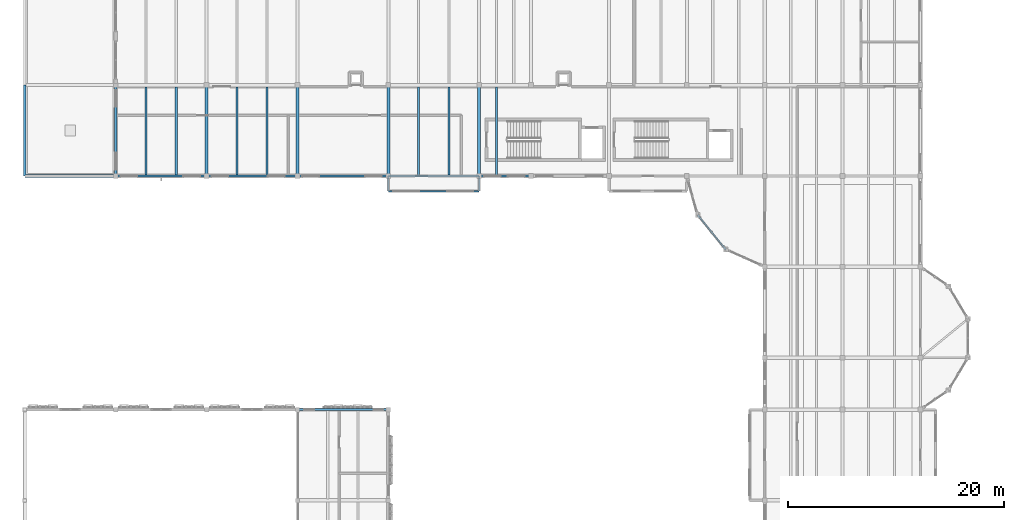
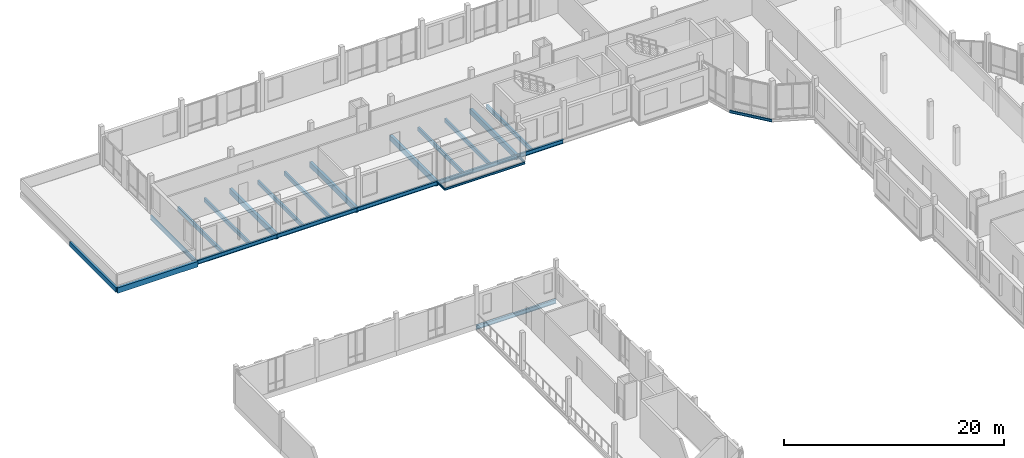
# One storey, part 21 of 81: 24 beams.
"""IFC4 building model written with IfcOpenShell, lengths in metres."""

from ifc_helpers import new_model, si_unit, direction, frame, origin, origin_2d, place, context, subcontext, project, spatial, rectangle, i_section, extrude, material, material_profile, profile_set, type_object, element, save


model = new_model("IFC4")

# Units and contexts
model_context = context("Model", 3, precision=1e-05, world=origin(), true_north=direction((0.0, 1.0)))
body_context = subcontext(model_context, "Body", "Model", "MODEL_VIEW")
ifc_project = project(units=[si_unit("LENGTHUNIT", "METRE"), si_unit("AREAUNIT", "SQUARE_METRE"), si_unit("VOLUMEUNIT", "CUBIC_METRE"), si_unit("PLANEANGLEUNIT", "RADIAN"), si_unit("MASSUNIT", "GRAM", prefix="KILO")], contexts=[model_context])

# Site, building, storey
site_placement = place(None, origin())
site = spatial("IfcSite", under=ifc_project, at=site_placement, CompositionType="ELEMENT")
building_placement = place(site_placement, origin())
building = spatial("IfcBuilding", under=site, at=building_placement, Name="Kahlenmark Community Centre", CompositionType="ELEMENT")
storey_placement = place(building_placement, frame((0.0, 0.0, 9.60009765625)))
storey = spatial("IfcBuildingStorey", under=building, at=storey_placement, Name="L02", CompositionType="ELEMENT", Elevation=9.60009765625)

# Beams
ifc_material_1 = material(Name="Glulam GL32h", Category="wood")
ifc_material_profile_1 = material_profile(ifc_material_1, rectangle(XDim=0.239990234375, YDim=0.52001953125, at=origin_2d()), Name="GL32h 240x520")
ifc_profile_set_1 = profile_set([ifc_material_profile_1], Name="Glulam GL32h")
beam_type_1 = type_object("IfcBeamType", Name="BT-BEAM-GL32h240x520", PredefinedType="BEAM", material=ifc_profile_set_1)
beam_1_placement = place(storey_placement, frame((4.0, 97.60009765625, -0.5400390625), z_axis=(0.0, 1.0, 0.0), x_axis=(-1.0, 0.0, 0.0)))
element("IfcBeam", 1, at=beam_1_placement, inside=storey, type_object=beam_type_1, Name="L02 beam BG-RF520", PredefinedType="BEAM", context=body_context, shape_type="SweptSolid", body=[
    extrude(rectangle(XDim=0.239990234375, YDim=0.52001953125, at=origin_2d()), origin(), (0.0, 0.0, 1.0), 8.39990234375),
])
ifc_material_profile_2 = material_profile(ifc_material_1, rectangle(XDim=0.280029296875, YDim=0.60009765625, at=origin_2d()), Name="GL32h 280x600")
ifc_profile_set_2 = profile_set([ifc_material_profile_2], Name="Glulam GL32h")
beam_type_2 = type_object("IfcBeamType", Name="BT-BEAM-GL32h280x600", PredefinedType="BEAM", material=ifc_profile_set_2)
for number, where, z_axis, x_axis, name in (
    (2, (20.800048828125, 97.60009765625, -0.52001953125), (0.0, 1.0, 0.0), (-1.0, 0.0, 0.0), "L02 beam BG-GL32h280x600"),
    (3, (29.199951171875, 97.60009765625, -0.52001953125), (0.0, 1.0, 0.0), (-1.0, 0.0, 0.0), "L02 beam BG-GL32h280x600"),
    (4, (37.60009765625, 97.60009765625, -0.52001953125), (0.0, 1.0, 0.0), (-1.0, 0.0, 0.0), "L02 beam BG-GL32h280x600"),
    (5, (46.0, 97.60009765625, -0.52001953125), (0.0, 1.0, 0.0), (-1.0, 0.0, 0.0), "L02 beam BG-GL32h280x600"),
    (6, (4.0, 97.60009765625, -0.580078125), (1.0, 0.0, 0.0), (0.0, 1.0, 0.0), "L02 beam BG-RF600"),
):
    element("IfcBeam", number, at=place(storey_placement, frame(where, z_axis=z_axis, x_axis=x_axis)), inside=storey, type_object=beam_type_2, Name=name, PredefinedType="BEAM", context=body_context, shape_type="SweptSolid", body=[
        extrude(rectangle(XDim=0.280029296875, YDim=0.60009765625, at=origin_2d()), origin(), (0.0, 0.0, 1.0), 8.39990234375),
    ])
ifc_material_2 = material(Name="Steel S355", Category="steel")
ifc_material_profile_3 = material_profile(ifc_material_2, i_section(OverallWidth=0.1201171875, OverallDepth=0.239990234375, WebThickness=0.006103515625, FlangeThickness=0.009765625, at=origin_2d()), Name="IPE 240")
ifc_profile_set_3 = profile_set([ifc_material_profile_3], Name="Steel S355")
beam_type_3 = type_object("IfcBeamType", Name="BT-BEAM-IPE240", PredefinedType="BEAM", material=ifc_profile_set_3)
for number, where, z_axis, x_axis, name in (
    (7, (37.60009765625, 96.199951171875, -0.320068359375), (0.0, 1.0, 0.0), (-1.0, 0.0, 0.0), "L02 beam BG-IPE240"),
    (8, (46.0, 96.199951171875, -0.320068359375), (0.0, 1.0, 0.0), (-1.0, 0.0, 0.0), "L02 beam BG-IPE240"),
):
    element("IfcBeam", number, at=place(storey_placement, frame(where, z_axis=z_axis, x_axis=x_axis)), inside=storey, type_object=beam_type_3, Name=name, PredefinedType="BEAM", context=body_context, shape_type="SweptSolid", body=[
        extrude(i_section(OverallWidth=0.1201171875, OverallDepth=0.239990234375, WebThickness=0.006103515625, FlangeThickness=0.009765625, at=origin_2d()), origin(), (0.0, 0.0, 1.0), 1.400146484375),
    ])
ifc_material_3 = material(Name="Glulam GL28h", Category="wood")
ifc_material_profile_4 = material_profile(ifc_material_3, rectangle(XDim=0.199951171875, YDim=0.43994140625, at=origin_2d()), Name="GL28h 200x440")
ifc_profile_set_4 = profile_set([ifc_material_profile_4], Name="Glulam GL28h")
beam_type_4 = type_object("IfcBeamType", Name="BT-JOIST-GL28h200x440", PredefinedType="JOIST", material=ifc_profile_set_4)
for number, where, z_axis, x_axis, name in (
    (9, (15.199951171875, 97.693115234375, -0.440185546875), (0.0, 1.0, 0.0), (-1.0, 0.0, 0.0), "L02 joist BJ-GL28h200x440"),
    (10, (18.0, 97.693115234375, -0.440185546875), (0.0, 1.0, 0.0), (-1.0, 0.0, 0.0), "L02 joist BJ-GL28h200x440"),
    (11, (23.60009765625, 97.693115234375, -0.440185546875), (0.0, 1.0, 0.0), (-1.0, 0.0, 0.0), "L02 joist BJ-GL28h200x440"),
    (12, (26.39990234375, 97.693115234375, -0.440185546875), (0.0, 1.0, 0.0), (-1.0, 0.0, 0.0), "L02 joist BJ-GL28h200x440"),
    (13, (40.39990234375, 97.693115234375, -0.440185546875), (0.0, 1.0, 0.0), (-1.0, 0.0, 0.0), "L02 joist BJ-GL28h200x440"),
    (14, (43.199951171875, 97.693115234375, -0.440185546875), (0.0, 1.0, 0.0), (-1.0, 0.0, 0.0), "L02 joist BJ-GL28h200x440"),
    (15, (47.60009765625, 97.693115234375, -0.440185546875), (0.0, 1.0, 0.0), (-1.0, 0.0, 0.0), "L02 joist BJ-GL28h200x440"),
):
    element("IfcBeam", number, at=place(storey_placement, frame(where, z_axis=z_axis, x_axis=x_axis)), inside=storey, type_object=beam_type_4, Name=name, PredefinedType="JOIST", context=body_context, shape_type="SweptSolid", body=[
        extrude(rectangle(XDim=0.199951171875, YDim=0.43994140625, at=origin_2d()), origin(), (0.0, 0.0, 1.0), 8.14892578125),
    ])
ifc_material_profile_5 = material_profile(ifc_material_2, i_section(OverallWidth=0.1201171875, OverallDepth=0.239990234375, WebThickness=0.006103515625, FlangeThickness=0.009765625, at=origin_2d()), Name="IPE 240")
ifc_profile_set_5 = profile_set([ifc_material_profile_5], Name="Steel S355")
beam_type_5 = type_object("IfcBeamType", Name="BT-SPANDREL-IPE240", PredefinedType="SPANDREL", material=ifc_profile_set_5)
beam_2_placement = place(storey_placement, frame((37.60009765625, 96.199951171875, -0.320068359375), z_axis=(1.0, 0.0, 0.0), x_axis=(0.0, 1.0, 0.0)))
element("IfcBeam", 16, at=beam_2_placement, inside=storey, type_object=beam_type_5, Name="L02 spandrel SP-IPE240", PredefinedType="SPANDREL", context=body_context, shape_type="SweptSolid", body=[
    extrude(i_section(OverallWidth=0.1201171875, OverallDepth=0.239990234375, WebThickness=0.006103515625, FlangeThickness=0.009765625, at=origin_2d()), origin(), (0.0, 0.0, 1.0), 8.39990234375),
])
ifc_material_profile_6 = material_profile(ifc_material_2, i_section(OverallWidth=0.14990234375, OverallDepth=0.300048828125, WebThickness=0.007080078125, FlangeThickness=0.0107421875, at=origin_2d()), Name="IPE 300")
ifc_profile_set_6 = profile_set([ifc_material_profile_6], Name="Steel S355")
beam_type_6 = type_object("IfcBeamType", Name="BT-SPANDREL-IPE300", PredefinedType="SPANDREL", material=ifc_profile_set_6)
beam_3_placement = place(storey_placement, frame((66.199951171875, 94.0, -0.35009765625), z_axis=(0.630612687458, -0.776097699015, 0.0), x_axis=(0.776097699015, 0.630612687458, 0.0)))
element("IfcBeam", 17, at=beam_3_placement, inside=storey, type_object=beam_type_6, Name="L02 spandrel SP-IPE300", PredefinedType="SPANDREL", context=body_context, shape_type="SweptSolid", body=[
    extrude(i_section(OverallWidth=0.14990234375, OverallDepth=0.300048828125, WebThickness=0.007080078125, FlangeThickness=0.0107421875, at=origin_2d()), origin(), (0.0, 0.0, 1.0), 4.123046875),
])
ifc_material_profile_7 = material_profile(ifc_material_2, i_section(OverallWidth=0.18994140625, OverallDepth=0.449951171875, WebThickness=0.009521484375, FlangeThickness=0.0146484375, at=origin_2d()), Name="IPE 450")
ifc_profile_set_7 = profile_set([ifc_material_profile_7], Name="Steel S355")
beam_type_7 = type_object("IfcBeamType", Name="BT-SPANDREL-IPE450", PredefinedType="SPANDREL", material=ifc_profile_set_7)
for number, where, z_axis, x_axis, name in (
    (18, (29.199951171875, 76.0, -0.445068359375), (1.0, 0.0, 0.0), (0.0, 1.0, 0.0), "L02 spandrel SP-IPE450"),
    (19, (12.39990234375, 97.60009765625, -0.445068359375), (1.0, 0.0, 0.0), (0.0, 1.0, 0.0), "L02 spandrel SP-IPE450"),
):
    element("IfcBeam", number, at=place(storey_placement, frame(where, z_axis=z_axis, x_axis=x_axis)), inside=storey, type_object=beam_type_7, Name=name, PredefinedType="SPANDREL", context=body_context, shape_type="SweptSolid", body=[
        extrude(i_section(OverallWidth=0.18994140625, OverallDepth=0.449951171875, WebThickness=0.009521484375, FlangeThickness=0.0146484375, at=origin_2d()), origin(), (0.0, 0.0, 1.0), 8.400146484375),
    ])
beam_4_placement = place(storey_placement, frame((20.800048828125, 97.60009765625, -0.445068359375), z_axis=(1.0, 0.0, 0.0), x_axis=(0.0, 1.0, 0.0)))
element("IfcBeam", 20, at=beam_4_placement, inside=storey, type_object=beam_type_7, Name="L02 spandrel SP-IPE450", PredefinedType="SPANDREL", context=body_context, shape_type="SweptSolid", body=[
    extrude(i_section(OverallWidth=0.18994140625, OverallDepth=0.449951171875, WebThickness=0.009521484375, FlangeThickness=0.0146484375, at=origin_2d()), origin(), (0.0, 0.0, 1.0), 8.39990234375),
])
beam_5_placement = place(storey_placement, frame((29.199951171875, 97.60009765625, -0.445068359375), z_axis=(1.0, 0.0, 0.0), x_axis=(0.0, 1.0, 0.0)))
element("IfcBeam", 21, at=beam_5_placement, inside=storey, type_object=beam_type_7, Name="L02 spandrel SP-IPE450", PredefinedType="SPANDREL", context=body_context, shape_type="SweptSolid", body=[
    extrude(i_section(OverallWidth=0.18994140625, OverallDepth=0.449951171875, WebThickness=0.009521484375, FlangeThickness=0.0146484375, at=origin_2d()), origin(), (0.0, 0.0, 1.0), 8.400146484375),
])
beam_6_placement = place(storey_placement, frame((37.60009765625, 97.60009765625, -0.445068359375), z_axis=(1.0, 0.0, 0.0), x_axis=(0.0, 1.0, 0.0)))
element("IfcBeam", 22, at=beam_6_placement, inside=storey, type_object=beam_type_7, Name="L02 spandrel SP-IPE450", PredefinedType="SPANDREL", context=body_context, shape_type="SweptSolid", body=[
    extrude(i_section(OverallWidth=0.18994140625, OverallDepth=0.449951171875, WebThickness=0.009521484375, FlangeThickness=0.0146484375, at=origin_2d()), origin(), (0.0, 0.0, 1.0), 8.39990234375),
])
beam_7_placement = place(storey_placement, frame((46.0, 97.60009765625, -0.445068359375), z_axis=(1.0, 0.0, 0.0), x_axis=(0.0, 1.0, 0.0)))
element("IfcBeam", 23, at=beam_7_placement, inside=storey, type_object=beam_type_7, Name="L02 spandrel SP-IPE450", PredefinedType="SPANDREL", context=body_context, shape_type="SweptSolid", body=[
    extrude(i_section(OverallWidth=0.18994140625, OverallDepth=0.449951171875, WebThickness=0.009521484375, FlangeThickness=0.0146484375, at=origin_2d()), origin(), (0.0, 0.0, 1.0), 4.800048828125),
])
beam_8_placement = place(storey_placement, frame((12.39990234375, 97.60009765625, -0.505126953125), z_axis=(0.0, 1.0, 0.0), x_axis=(-1.0, 0.0, 0.0)))
element("IfcBeam", 24, at=beam_8_placement, inside=storey, type_object=beam_type_7, Name="L02 spandrel SP-IPE450", PredefinedType="SPANDREL", context=body_context, shape_type="SweptSolid", body=[
    extrude(i_section(OverallWidth=0.18994140625, OverallDepth=0.449951171875, WebThickness=0.009521484375, FlangeThickness=0.0146484375, at=origin_2d()), origin(), (0.0, 0.0, 1.0), 8.39990234375),
])

save(model, "model.ifc")
